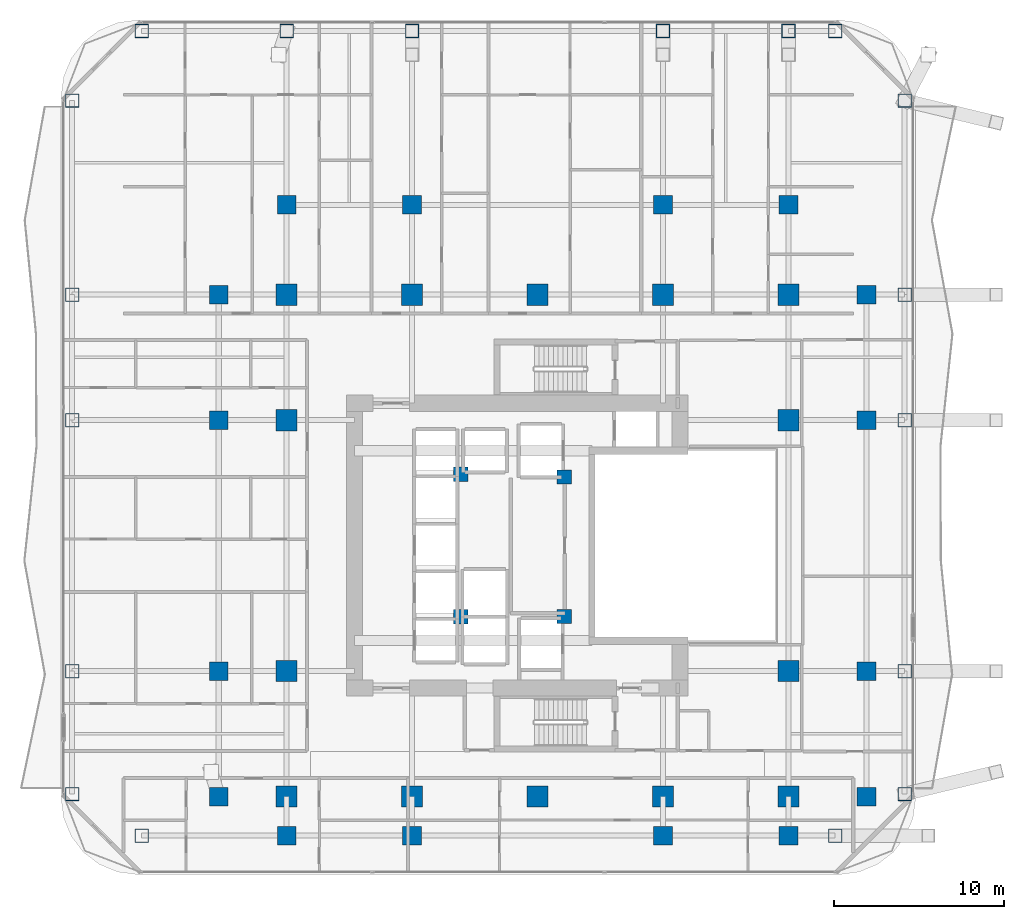
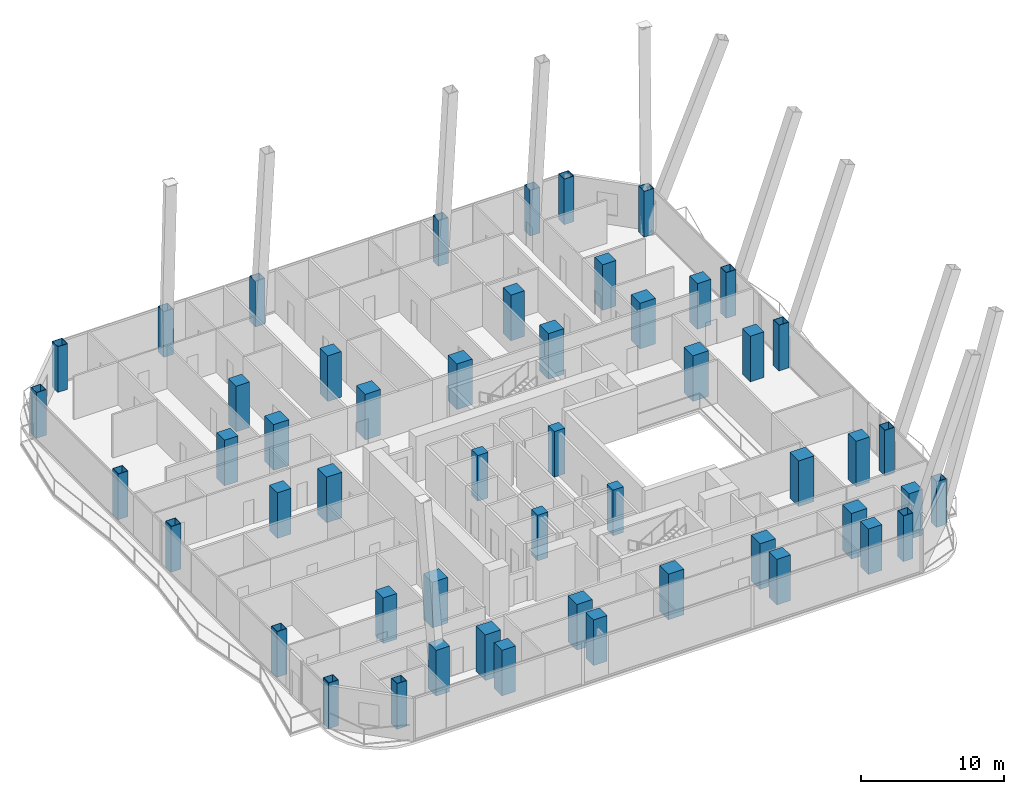
# One storey, part 1 of 32: 52 columns.
"""IFC4 building model written with IfcOpenShell, lengths in metres."""

from ifc_helpers import new_model, si_unit, direction, frame, origin, origin_2d, place, context, subcontext, project, spatial, rectangle, hollow_rectangle, extrude, material, material_profile, profile_set, type_object, element, save


model = new_model("IFC4")

# Units and contexts
model_context = context("Model", 3, precision=1e-05, world=origin(), true_north=direction((0.0, 1.0)))
body_context = subcontext(model_context, "Body", "Model", "MODEL_VIEW")
ifc_project = project(units=[si_unit("LENGTHUNIT", "METRE"), si_unit("AREAUNIT", "SQUARE_METRE"), si_unit("VOLUMEUNIT", "CUBIC_METRE"), si_unit("PLANEANGLEUNIT", "RADIAN"), si_unit("MASSUNIT", "GRAM", prefix="KILO")], contexts=[model_context])

# Site, building, storey
site_placement = place(None, origin())
site = spatial("IfcSite", under=ifc_project, at=site_placement, CompositionType="ELEMENT")
building_placement = place(site_placement, origin())
building = spatial("IfcBuilding", under=site, at=building_placement, Name="Khorvyn Point Tower", CompositionType="ELEMENT")
storey_placement = place(building_placement, frame((0.0, 0.0, 93.0)))
storey = spatial("IfcBuildingStorey", under=building, at=storey_placement, Name="L23", CompositionType="ELEMENT", Elevation=93.0)

# Columns
ifc_material_1 = material(Name="Concrete C40/50", Category="concrete")
ifc_material_profile_1 = material_profile(ifc_material_1, rectangle(XDim=0.85009765625, YDim=0.85009765625, at=origin_2d()))
ifc_profile_set_1 = profile_set([ifc_material_profile_1], Name="Concrete C40/50 RC850x850")
column_type_1 = type_object("IfcColumnType", Name="Concrete C40/50 Column RC850x850", PredefinedType="COLUMN", material=ifc_profile_set_1)
for number, where, z_axis, x_axis, name in (
    (1, (-4.52001953125, -4.199951171875, 0.0), (0.0, 0.0, 1.0), (1.0, 0.0, 0.0), "L23 Crown Core Spine Column 1"),
    (2, (1.580078125, -4.179931640625, 0.0), (0.0, 0.0, 1.0), (1.0, 0.0, 0.0), "L23 Crown Core Spine Column 2"),
    (3, (1.580078125, 4.050048828125, 0.0), (0.0, 0.0, 1.0), (1.0, 0.0, 0.0), "L23 Crown Core Spine Column 3"),
    (4, (-4.52001953125, 4.199951171875, 0.0), (0.0, 0.0, 1.0), (1.0, 0.0, 0.0), "L23 Crown Core Spine Column 4"),
):
    element("IfcColumn", number, at=place(storey_placement, frame(where, z_axis=z_axis, x_axis=x_axis)), inside=storey, type_object=column_type_1, Name=name, PredefinedType="COLUMN", context=body_context, shape_type="SweptSolid", body=[
        extrude(rectangle(XDim=0.85009765625, YDim=0.85009765625, at=origin_2d()), origin(), (0.0, 0.0, 1.0), 3.89990234375),
    ])
ifc_material_2 = material(Name="Concrete C45/55", Category="concrete")
ifc_material_profile_2 = material_profile(ifc_material_2, rectangle(XDim=1.10009765625, YDim=1.10009765625, at=origin_2d()))
ifc_profile_set_2 = profile_set([ifc_material_profile_2], Name="Concrete C45/55 RC1100x1100")
column_type_2 = type_object("IfcColumnType", Name="Concrete C45/55 Column RC1100x1100", PredefinedType="COLUMN", material=ifc_profile_set_2)
for number, where, z_axis, x_axis, name in (
    (5, (-18.800048828125, -14.800048828125, 0.0), (0.0, 0.0, 1.0), (1.0, 0.0, 0.0), "L23 Intermediate Column ICW--14"),
    (6, (-18.800048828125, -7.39990234375, 0.0), (0.0, 0.0, 1.0), (1.0, 0.0, 0.0), "L23 Intermediate Column ICW--7"),
    (7, (-18.800048828125, 7.39990234375, 0.0), (0.0, 0.0, 1.0), (1.0, 0.0, 0.0), "L23 Intermediate Column ICW-7"),
    (8, (-18.800048828125, 14.800048828125, 0.0), (0.0, 0.0, 1.0), (1.0, 0.0, 0.0), "L23 Intermediate Column ICW-14"),
    (9, (19.39990234375, -14.800048828125, 0.0), (0.0, 0.0, 1.0), (1.0, 0.0, 0.0), "L23 Intermediate Column ICE--14"),
    (10, (19.39990234375, -7.39990234375, 0.0), (0.0, 0.0, 1.0), (1.0, 0.0, 0.0), "L23 Intermediate Column ICE--7"),
    (11, (19.39990234375, 7.39990234375, 0.0), (0.0, 0.0, 1.0), (1.0, 0.0, 0.0), "L23 Intermediate Column ICE-7"),
    (12, (19.39990234375, 14.800048828125, 0.0), (0.0, 0.0, 1.0), (1.0, 0.0, 0.0), "L23 Intermediate Column ICE-14"),
    (13, (-14.800048828125, -17.10009765625, 0.0), (0.0, 0.0, 1.0), (1.0, 0.0, 0.0), "L23 Intermediate Column ICS--14"),
    (14, (-7.39990234375, -17.10009765625, 0.0), (0.0, 0.0, 1.0), (1.0, 0.0, 0.0), "L23 Intermediate Column ICS--7"),
    (15, (7.39990234375, -17.10009765625, 0.0), (0.0, 0.0, 1.0), (1.0, 0.0, 0.0), "L23 Intermediate Column ICS-7"),
    (16, (14.800048828125, -17.10009765625, 0.0), (0.0, 0.0, 1.0), (1.0, 0.0, 0.0), "L23 Intermediate Column ICS-14"),
    (17, (-14.800048828125, 20.10009765625, 0.0), (0.0, 0.0, 1.0), (1.0, 0.0, 0.0), "L23 Intermediate Column ICN--14"),
    (18, (-7.39990234375, 20.10009765625, 0.0), (0.0, 0.0, 1.0), (1.0, 0.0, 0.0), "L23 Intermediate Column ICN--7"),
    (19, (7.39990234375, 20.10009765625, 0.0), (0.0, 0.0, 1.0), (1.0, 0.0, 0.0), "L23 Intermediate Column ICN-7"),
    (20, (14.800048828125, 20.10009765625, 0.0), (0.0, 0.0, 1.0), (1.0, 0.0, 0.0), "L23 Intermediate Column ICN-14"),
):
    element("IfcColumn", number, at=place(storey_placement, frame(where, z_axis=z_axis, x_axis=x_axis)), inside=storey, type_object=column_type_2, Name=name, PredefinedType="COLUMN", context=body_context, shape_type="SweptSolid", body=[
        extrude(rectangle(XDim=1.10009765625, YDim=1.10009765625, at=origin_2d()), origin(), (0.0, 0.0, 1.0), 3.89990234375),
    ])
ifc_material_3 = material(Name="Concrete C50/60", Category="concrete")
ifc_material_profile_3 = material_profile(ifc_material_3, rectangle(XDim=1.25, YDim=1.25, at=origin_2d()))
ifc_profile_set_3 = profile_set([ifc_material_profile_3], Name="Concrete C50/60 RC1250x1250")
column_type_3 = type_object("IfcColumnType", Name="Concrete C50/60 Column RC1250x1250", PredefinedType="COLUMN", material=ifc_profile_set_3)
for number, where, z_axis, x_axis, name in (
    (21, (-14.800048828125, -14.800048828125, 0.0), (0.0, 0.0, 1.0), (1.0, 0.0, 0.0), "L23 Mega-Column MC-01"),
    (22, (-7.39990234375, -14.800048828125, 0.0), (0.0, 0.0, 1.0), (1.0, 0.0, 0.0), "L23 Mega-Column MC-02"),
    (23, (0.0, -14.800048828125, 0.0), (0.0, 0.0, 1.0), (1.0, 0.0, 0.0), "L23 Mega-Column MC-03"),
    (24, (7.39990234375, -14.800048828125, 0.0), (0.0, 0.0, 1.0), (1.0, 0.0, 0.0), "L23 Mega-Column MC-04"),
    (25, (14.800048828125, -14.800048828125, 0.0), (0.0, 0.0, 1.0), (1.0, 0.0, 0.0), "L23 Mega-Column MC-05"),
    (26, (-14.800048828125, 14.800048828125, 0.0), (0.0, 0.0, 1.0), (1.0, 0.0, 0.0), "L23 Mega-Column MC-06"),
    (27, (-7.39990234375, 14.800048828125, 0.0), (0.0, 0.0, 1.0), (1.0, 0.0, 0.0), "L23 Mega-Column MC-07"),
    (28, (0.0, 14.800048828125, 0.0), (0.0, 0.0, 1.0), (1.0, 0.0, 0.0), "L23 Mega-Column MC-08"),
    (29, (7.39990234375, 14.800048828125, 0.0), (0.0, 0.0, 1.0), (1.0, 0.0, 0.0), "L23 Mega-Column MC-09"),
    (30, (14.800048828125, 14.800048828125, 0.0), (0.0, 0.0, 1.0), (1.0, 0.0, 0.0), "L23 Mega-Column MC-10"),
    (31, (-14.800048828125, -7.39990234375, 0.0), (0.0, 0.0, 1.0), (1.0, 0.0, 0.0), "L23 Mega-Column MC-11"),
    (32, (-14.800048828125, 7.39990234375, 0.0), (0.0, 0.0, 1.0), (1.0, 0.0, 0.0), "L23 Mega-Column MC-12"),
    (33, (14.800048828125, -7.39990234375, 0.0), (0.0, 0.0, 1.0), (1.0, 0.0, 0.0), "L23 Mega-Column MC-13"),
    (34, (14.800048828125, 7.39990234375, 0.0), (0.0, 0.0, 1.0), (1.0, 0.0, 0.0), "L23 Mega-Column MC-14"),
):
    element("IfcColumn", number, at=place(storey_placement, frame(where, z_axis=z_axis, x_axis=x_axis)), inside=storey, type_object=column_type_3, Name=name, PredefinedType="COLUMN", context=body_context, shape_type="SweptSolid", body=[
        extrude(rectangle(XDim=1.25, YDim=1.25, at=origin_2d()), origin(), (0.0, 0.0, 1.0), 3.89990234375),
    ])
ifc_material_4 = material(Name="Steel S450", Category="steel")
ifc_material_profile_4 = material_profile(ifc_material_4, hollow_rectangle(XDim=0.800048828125, YDim=0.800048828125, WallThickness=0.035888671875, at=origin_2d()))
ifc_profile_set_4 = profile_set([ifc_material_profile_4], Name="Steel S450 BOX800x800x36")
column_type_4 = type_object("IfcColumnType", Name="Steel S450 Structural Column BOX800x800x36", PredefinedType="COLUMN", material=ifc_profile_set_4)
for number, where, z_axis, x_axis, name in (
    (35, (-23.35009765625, -17.10009765625, 0.0), (0.0, 0.0, 1.0), (1.0, 0.0, 0.0), "L23 Perimeter Tube Column TC-01"),
    (36, (17.550048828125, -17.10009765625, 0.0), (0.0, 0.0, 1.0), (1.0, 0.0, 0.0), "L23 Perimeter Tube Column TC-02"),
    (37, (-23.35009765625, 30.35009765625, 0.0), (0.0, 0.0, 1.0), (1.0, 0.0, 0.0), "L23 Perimeter Tube Column TC-03"),
    (38, (17.550048828125, 30.35009765625, 0.0), (0.0, 0.0, 1.0), (1.0, 0.0, 0.0), "L23 Perimeter Tube Column TC-04"),
    (39, (-27.449951171875, -14.64990234375, 0.0), (0.0, 0.0, 1.0), (1.0, 0.0, 0.0), "L23 Perimeter Tube Column TC-05"),
    (40, (-27.449951171875, 26.25, 0.0), (0.0, 0.0, 1.0), (1.0, 0.0, 0.0), "L23 Perimeter Tube Column TC-06"),
    (41, (21.64990234375, -14.64990234375, 0.0), (0.0, 0.0, 1.0), (1.0, 0.0, 0.0), "L23 Perimeter Tube Column TC-07"),
    (42, (21.64990234375, 26.25, 0.0), (0.0, 0.0, 1.0), (1.0, 0.0, 0.0), "L23 Perimeter Tube Column TC-08"),
    (43, (-14.800048828125, 30.35009765625, 0.0), (0.0, 0.0, 1.0), (1.0, 0.0, 0.0), "L23 Perimeter Tube Column TC-09"),
    (44, (-7.39990234375, 30.35009765625, 0.0), (0.0, 0.0, 1.0), (1.0, 0.0, 0.0), "L23 Perimeter Tube Column TC-10"),
    (45, (7.39990234375, 30.35009765625, 0.0), (0.0, 0.0, 1.0), (1.0, 0.0, 0.0), "L23 Perimeter Tube Column TC-11"),
    (46, (14.800048828125, 30.35009765625, 0.0), (0.0, 0.0, 1.0), (1.0, 0.0, 0.0), "L23 Perimeter Tube Column TC-12"),
    (47, (-27.449951171875, -7.39990234375, 0.0), (0.0, 0.0, 1.0), (1.0, 0.0, 0.0), "L23 Perimeter Tube Column TC-13"),
    (48, (21.64990234375, -7.39990234375, 0.0), (0.0, 0.0, 1.0), (1.0, 0.0, 0.0), "L23 Perimeter Tube Column TC-14"),
    (49, (-27.449951171875, 7.39990234375, 0.0), (0.0, 0.0, 1.0), (1.0, 0.0, 0.0), "L23 Perimeter Tube Column TC-15"),
    (50, (21.64990234375, 7.39990234375, 0.0), (0.0, 0.0, 1.0), (1.0, 0.0, 0.0), "L23 Perimeter Tube Column TC-16"),
    (51, (-27.449951171875, 14.800048828125, 0.0), (0.0, 0.0, 1.0), (1.0, 0.0, 0.0), "L23 Perimeter Tube Column TC-17"),
    (52, (21.64990234375, 14.800048828125, 0.0), (0.0, 0.0, 1.0), (1.0, 0.0, 0.0), "L23 Perimeter Tube Column TC-18"),
):
    element("IfcColumn", number, at=place(storey_placement, frame(where, z_axis=z_axis, x_axis=x_axis)), inside=storey, type_object=column_type_4, Name=name, PredefinedType="COLUMN", context=body_context, shape_type="SweptSolid", body=[
        extrude(hollow_rectangle(XDim=0.800048828125, YDim=0.800048828125, WallThickness=0.035888671875, at=origin_2d()), origin(), (0.0, 0.0, 1.0), 3.89990234375),
    ])

save(model, "model.ifc")
